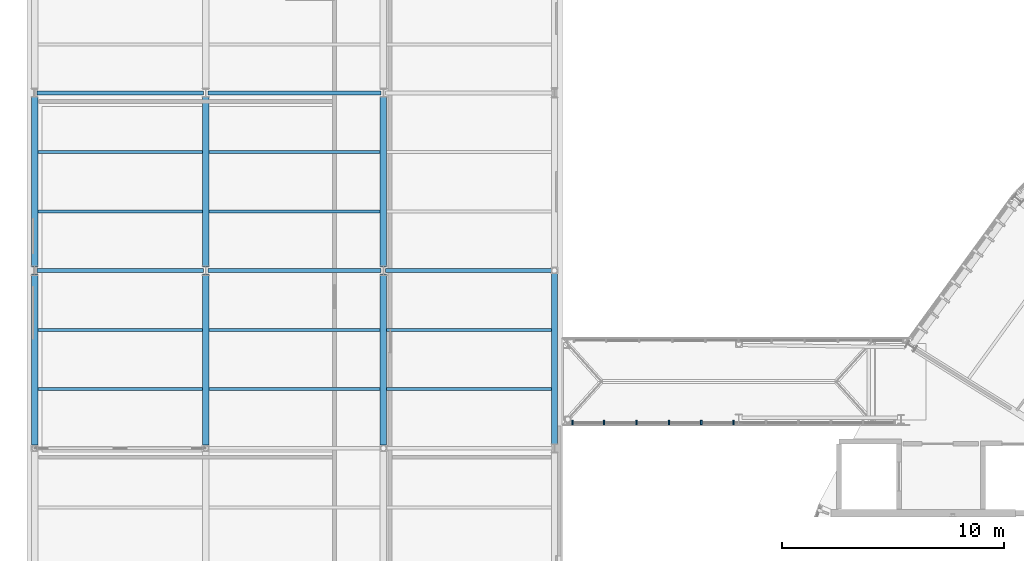
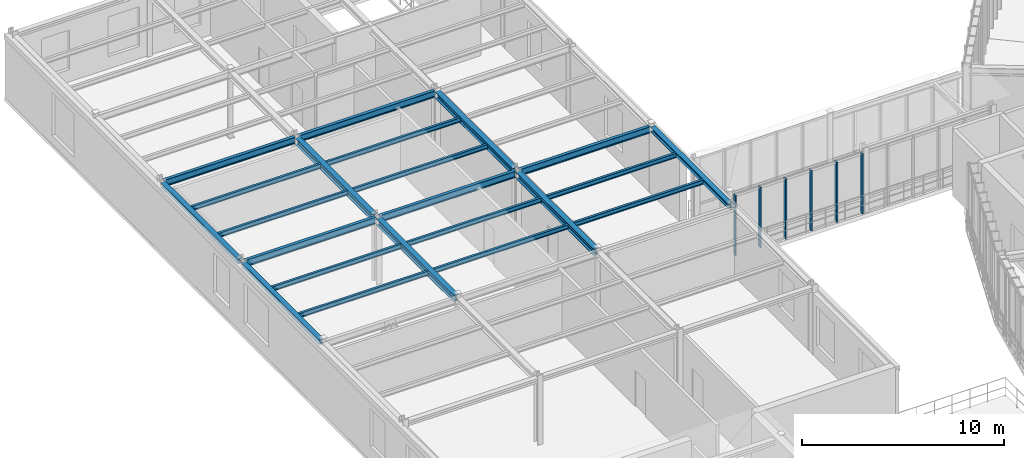
# One storey, part 14 of 52: 22 beams, 6 members, 1 element without a shape of its own.
"""IFC4 building model written with IfcOpenShell, lengths in metres."""

import ifcopenshell
import ifcopenshell.guid

model = None  # the IFC model being written
_history = None  # IfcOwnerHistory: only IFC2X3 demands one
_inside = {}  # id of a spatial element -> (the spatial element, [elements in it])
_under = {}  # id of a project, library or spatial element -> (it, [spatial elements below it])
_declared = {}  # id of a project -> (the project, [libraries it declares])
_typed = {}  # id of a type object -> (the type object, [elements of that type])
_made_of = {}  # id of a material, layer set ... -> (it, [elements and type objects made of it])


def new_model(schema):
    """Start an empty IFC model of exactly this schema.

    Asked for "IFC4X3", IfcOpenShell would pick the latest addendum, in which some entities
    have other attributes; the version numbers below select the first issue.
    IFC2X3 requires an IfcOwnerHistory on every rooted entity: one is made here for all.
    """
    global model, _history
    if schema == "IFC4X3":
        model = ifcopenshell.file(schema_version=(4, 3, 0, 0))
    else:
        model = ifcopenshell.file(schema=schema)
    _inside.clear()
    _under.clear()
    _declared.clear()
    _typed.clear()
    _made_of.clear()
    _history = None
    if model.schema == "IFC2X3":
        org = make("IfcOrganization", Name="unknown")
        user = make(
            "IfcPersonAndOrganization",
            ThePerson=make("IfcPerson", FamilyName="unknown"),
            TheOrganization=org,
        )
        app = make(
            "IfcApplication",
            ApplicationDeveloper=org,
            Version="unknown",
            ApplicationFullName="unknown",
            ApplicationIdentifier="unknown",
        )
        _history = make(
            "IfcOwnerHistory",
            OwningUser=user,
            OwningApplication=app,
            ChangeAction="ADDED",
            CreationDate=0,
        )
    return model


def make(cls, **values):
    """One entity of the class cls with the attributes given. An attribute that is None is left unset."""
    return model.create_entity(
        cls, **{name: value for name, value in values.items() if value is not None}
    )


def rooted(cls, **values):
    """An entity with a GlobalId (a new one), such as an element, a storey or a relation."""
    return make(cls, GlobalId=ifcopenshell.guid.new(), OwnerHistory=_history, **values)


def si_unit(unit_type, name, prefix=None):
    """IfcSIUnit, for example si_unit("LENGTHUNIT", "METRE", prefix="MILLI")."""
    return make("IfcSIUnit", UnitType=unit_type, Prefix=prefix, Name=name)


def assignment(units):
    """IfcUnitAssignment: the units of a project."""
    return None if units is None else make("IfcUnitAssignment", Units=units)


def point(xyz):
    """IfcCartesianPoint."""
    return None if xyz is None else make("IfcCartesianPoint", Coordinates=xyz)


def direction(xyz):
    """IfcDirection."""
    return None if xyz is None else make("IfcDirection", DirectionRatios=xyz)


def frame(location, z_axis=None, x_axis=None):
    """IfcAxis2Placement3D, a coordinate frame: its origin and axes. An axis left out is left unset."""
    return make(
        "IfcAxis2Placement3D",
        Location=point(location),
        Axis=direction(z_axis),
        RefDirection=direction(x_axis),
    )


def frame_2d(location, x_axis=None):
    """IfcAxis2Placement2D, a coordinate frame in the plane: its origin and x axis."""
    return make(
        "IfcAxis2Placement2D", Location=point(location), RefDirection=direction(x_axis)
    )


def origin():
    """The frame at (0, 0, 0) with its axes left unset."""
    return frame((0.0, 0.0, 0.0))


def origin_2d():
    """The frame at (0, 0) in the plane with its x axis left unset."""
    return frame_2d((0.0, 0.0))


def place(relative_to, where):
    """IfcLocalPlacement: puts the frame where relative to a parent placement (None: the world)."""
    return make(
        "IfcLocalPlacement", PlacementRelTo=relative_to, RelativePlacement=where
    )


def context(
    kind, dimensions, precision=None, world=None, true_north=None, identifier=None
):
    """IfcGeometricRepresentationContext, for example the 3D "Model" context."""
    return make(
        "IfcGeometricRepresentationContext",
        ContextIdentifier=identifier,
        ContextType=kind,
        CoordinateSpaceDimension=dimensions,
        Precision=precision,
        WorldCoordinateSystem=world,
        TrueNorth=true_north,
    )


def subcontext(parent, identifier, kind, view, scale=None):
    """IfcGeometricRepresentationSubContext, for example "Body" below "Model"."""
    return make(
        "IfcGeometricRepresentationSubContext",
        ContextIdentifier=identifier,
        ContextType=kind,
        ParentContext=parent,
        TargetScale=scale,
        TargetView=view,
    )


def project(units=None, contexts=None):
    """IfcProject with its units and contexts."""
    return rooted(
        "IfcProject",
        Name="project",
        RepresentationContexts=contexts,
        UnitsInContext=assignment(units),
    )


def spatial(cls, under=None, at=None, **own):
    """A site, building, storey or space (cls), placed at a placement, below another one or the project."""
    s = rooted(cls, ObjectPlacement=at, **own)
    if under is not None:
        _under.setdefault(under.id(), (under, []))[1].append(s)
    return s


def profile(cls, at=None, kind="AREA", **sizes):
    """A parametric profile (cls). Its sizes go by their IFC names, for example OverallWidth=200.0."""
    return make(cls, ProfileType=kind, Position=at, **sizes)


def rectangle(**sizes):
    """IfcRectangleProfileDef."""
    return profile("IfcRectangleProfileDef", **sizes)


def i_section(**sizes):
    """IfcIShapeProfileDef."""
    return profile("IfcIShapeProfileDef", **sizes)


def extrude(swept, where, along, depth):
    """IfcExtrudedAreaSolid: the profile swept, set in the frame where, extruded along a direction by depth."""
    return make(
        "IfcExtrudedAreaSolid",
        SweptArea=swept,
        Position=where,
        ExtrudedDirection=direction(along),
        Depth=depth,
    )


def shape(context_of_items, identifier, shape_type, items):
    """IfcShapeRepresentation: the items that make up one representation, for example the "Body"."""
    return make(
        "IfcShapeRepresentation",
        ContextOfItems=context_of_items,
        RepresentationIdentifier=identifier,
        RepresentationType=shape_type,
        Items=items,
    )


def material(Name=None, Category=None):
    """IfcMaterial."""
    return make("IfcMaterial", Name=Name, Category=Category)


def layer(
    of_material, thickness, ventilated=None, Name=None, Category=None, Priority=None
):
    """IfcMaterialLayer: one layer of a wall or slab, of a material (None: an air gap)."""
    return make(
        "IfcMaterialLayer",
        Material=of_material,
        LayerThickness=thickness,
        IsVentilated=ventilated,
        Name=Name,
        Category=Category,
        Priority=Priority,
    )


def layer_set(layers, Name=None):
    """IfcMaterialLayerSet."""
    return make("IfcMaterialLayerSet", MaterialLayers=layers, LayerSetName=Name)


def material_profile(
    of_material, cross_section, Name=None, Category=None, Priority=None
):
    """IfcMaterialProfile: a cross section and its material."""
    return make(
        "IfcMaterialProfile",
        Name=Name,
        Material=of_material,
        Profile=cross_section,
        Priority=Priority,
        Category=Category,
    )


def profile_set(profiles, Name=None, composite=None):
    """IfcMaterialProfileSet."""
    return make(
        "IfcMaterialProfileSet",
        Name=Name,
        MaterialProfiles=profiles,
        CompositeProfile=composite,
    )


def made_of(thing, what):
    """Note that an element or type object is made of a material, layer set ...; save() writes the relation."""
    if what is not None:
        _made_of.setdefault(what.id(), (what, []))[1].append(thing)
    return thing


def type_object(cls, material=None, **own):
    """A type object (cls), such as IfcWallType, which elements share."""
    return made_of(rooted(cls, **own), material)


def element(
    cls,
    number,
    at=None,
    inside=None,
    cuts=None,
    type_object=None,
    material=None,
    context=None,
    identifier="Body",
    shape_type=None,
    held_by="IfcProductDefinitionShape",
    body=None,
    shapes=None,
    **own,
):
    """One element of the class cls, such as IfcWall. Its Tag is "e" and its number.

    at: its placement. inside: the storey or other place that contains it. cuts: it is an
    opening in that element (IfcRelVoidsElement). A single representation is given by context,
    identifier, shape_type and body (its items); several are given by shapes. held_by: the class
    of the entity that holds the representations. save() writes the other relations.
    """
    e = rooted(cls, Tag="e%d" % number, ObjectPlacement=at, **own)
    if body is not None:
        shapes = [shape(context, identifier, shape_type, body)]
    if shapes is not None:
        e.Representation = make(held_by, Representations=shapes)
    if inside is not None:
        _inside.setdefault(inside.id(), (inside, []))[1].append(e)
    if cuts is not None:
        rooted(
            "IfcRelVoidsElement", RelatingBuildingElement=cuts, RelatedOpeningElement=e
        )
    if type_object is not None:
        _typed.setdefault(type_object.id(), (type_object, []))[1].append(e)
    return made_of(e, material)


def aggregate(whole, parts):
    """IfcRelAggregates: a whole, such as a stair, and the parts it consists of."""
    return rooted("IfcRelAggregates", RelatingObject=whole, RelatedObjects=parts)


def save(model, path):
    """Write the relations noted so far, then the file.

    IfcRelAggregates (storeys below a building ...), IfcRelContainedInSpatialStructure (elements
    in a storey), IfcRelDefinesByType, IfcRelAssociatesMaterial and IfcRelDeclares: one each for
    every whole, place, type object, material and project.
    """
    for whole, parts in _under.values():
        aggregate(whole, parts)
    for where, things in _inside.values():
        rooted(
            "IfcRelContainedInSpatialStructure",
            RelatedElements=things,
            RelatingStructure=where,
        )
    for kind, things in _typed.values():
        rooted("IfcRelDefinesByType", RelatedObjects=things, RelatingType=kind)
    for what, things in _made_of.values():
        rooted("IfcRelAssociatesMaterial", RelatedObjects=things, RelatingMaterial=what)
    for by, libraries in _declared.values():
        rooted("IfcRelDeclares", RelatingContext=by, RelatedDefinitions=libraries)
    model.write(path)


model = new_model("IFC4")

# Units and contexts
model_context = context("Model", 3, precision=1e-05, world=origin(), true_north=direction((0.0, 1.0)))
body_context = subcontext(model_context, "Body", "Model", "MODEL_VIEW")
ifc_project = project(units=[si_unit("LENGTHUNIT", "METRE"), si_unit("AREAUNIT", "SQUARE_METRE"), si_unit("VOLUMEUNIT", "CUBIC_METRE"), si_unit("PLANEANGLEUNIT", "RADIAN"), si_unit("MASSUNIT", "GRAM", prefix="KILO"), si_unit("THERMODYNAMICTEMPERATUREUNIT", "KELVIN"), si_unit("POWERUNIT", "WATT")], contexts=[model_context])

# Site, building, storey
site_placement = place(None, origin())
site = spatial("IfcSite", under=ifc_project, at=site_placement, CompositionType="ELEMENT")
building_placement = place(site_placement, origin())
building = spatial("IfcBuilding", under=site, at=building_placement, Name="Solvatero Civic Police Headquarters", CompositionType="ELEMENT")
storey_placement = place(building_placement, frame((0.0, 0.0, 13.5)))
storey = spatial("IfcBuildingStorey", under=building, at=storey_placement, Name="L03", CompositionType="ELEMENT", Elevation=13.5)

# Beams
ifc_material_1 = material(Name="Steel S355", Category="steel")
ifc_material_profile_1 = material_profile(ifc_material_1, i_section(OverallWidth=0.280029296875, OverallDepth=0.27001953125, WebThickness=0.008056640625, FlangeThickness=0.012939453125, FilletRadius=0.02392578125, at=origin_2d()), Name="HEA 280")
ifc_profile_set_1 = profile_set([ifc_material_profile_1], Name="Steel S355")
beam_type_1 = type_object("IfcBeamType", Name="BM-ST-HEA280", PredefinedType="SPANDREL", material=ifc_profile_set_1)
beam_1_placement = place(storey_placement, frame((4.800048828125, 52.638427734375, 3.864990234375), z_axis=(0.0, 1.0, 0.0), x_axis=(-1.0, 0.0, 0.0)))
element("IfcBeam", 1, at=beam_1_placement, inside=storey, type_object=beam_type_1, Name="Perimeter / radial spandrel beam BM-R2-L03-V6-GY-1-2", PredefinedType="SPANDREL", context=body_context, shape_type="SweptSolid", body=[
    extrude(i_section(OverallWidth=0.280029296875, OverallDepth=0.27001953125, WebThickness=0.008056640625, FlangeThickness=0.012939453125, FilletRadius=0.02392578125, at=origin_2d()), origin(), (0.0, 0.0, 1.0), 7.70166015625),
])
beam_2_placement = place(storey_placement, frame((4.800048828125, 60.659912109375, 3.864990234375), z_axis=(0.0, 1.0, 0.0), x_axis=(-1.0, 0.0, 0.0)))
element("IfcBeam", 2, at=beam_2_placement, inside=storey, type_object=beam_type_1, Name="Perimeter / radial spandrel beam BM-R2-L03-V6-GY-1-3", PredefinedType="SPANDREL", context=body_context, shape_type="SweptSolid", body=[
    extrude(i_section(OverallWidth=0.280029296875, OverallDepth=0.27001953125, WebThickness=0.008056640625, FlangeThickness=0.012939453125, FilletRadius=0.02392578125, at=origin_2d()), origin(), (0.0, 0.0, 1.0), 7.68017578125),
])
beam_3_placement = place(storey_placement, frame((28.199951171875, 52.659912109375, 3.864990234375), z_axis=(0.0, 1.0, 0.0), x_axis=(-1.0, 0.0, 0.0)))
element("IfcBeam", 3, at=beam_3_placement, inside=storey, type_object=beam_type_1, Name="Perimeter / radial spandrel beam BM-R2-L03-V6-GY-4-2", PredefinedType="SPANDREL", context=body_context, shape_type="SweptSolid", body=[
    extrude(i_section(OverallWidth=0.280029296875, OverallDepth=0.27001953125, WebThickness=0.008056640625, FlangeThickness=0.012939453125, FilletRadius=0.02392578125, at=origin_2d()), origin(), (0.0, 0.0, 1.0), 7.70166015625),
])
ifc_material_profile_2 = material_profile(ifc_material_1, i_section(OverallWidth=0.300048828125, OverallDepth=0.389892578125, WebThickness=0.010986328125, FlangeThickness=0.01904296875, FilletRadius=0.027099609375, at=origin_2d()), Name="HEA 400")
ifc_profile_set_2 = profile_set([ifc_material_profile_2], Name="Steel S355")
beam_type_2 = type_object("IfcBeamType", Name="BM-ST-HEA400", PredefinedType="BEAM", material=ifc_profile_set_2)
beam_4_placement = place(storey_placement, frame((12.5, 52.638427734375, 3.804931640625), z_axis=(0.0, 1.0, 0.0), x_axis=(-1.0, 0.0, 0.0)))
element("IfcBeam", 4, at=beam_4_placement, inside=storey, type_object=beam_type_2, Name="Primary girder BM-R2-L03-V6-GY-2-2", PredefinedType="BEAM", context=body_context, shape_type="SweptSolid", body=[
    extrude(i_section(OverallWidth=0.300048828125, OverallDepth=0.389892578125, WebThickness=0.010986328125, FlangeThickness=0.01904296875, FilletRadius=0.027099609375, at=origin_2d()), origin(), (0.0, 0.0, 1.0), 7.70166015625),
])
beam_5_placement = place(storey_placement, frame((12.5, 60.659912109375, 3.804931640625), z_axis=(0.0, 1.0, 0.0), x_axis=(-1.0, 0.0, 0.0)))
element("IfcBeam", 5, at=beam_5_placement, inside=storey, type_object=beam_type_2, Name="Primary girder BM-R2-L03-V6-GY-2-3", PredefinedType="BEAM", context=body_context, shape_type="SweptSolid", body=[
    extrude(i_section(OverallWidth=0.300048828125, OverallDepth=0.389892578125, WebThickness=0.010986328125, FlangeThickness=0.01904296875, FilletRadius=0.027099609375, at=origin_2d()), origin(), (0.0, 0.0, 1.0), 7.68017578125),
])
beam_6_placement = place(storey_placement, frame((20.5, 52.638427734375, 3.804931640625), z_axis=(0.0, 1.0, 0.0), x_axis=(-1.0, 0.0, 0.0)))
element("IfcBeam", 6, at=beam_6_placement, inside=storey, type_object=beam_type_2, Name="Primary girder BM-R2-L03-V6-GY-3-2", PredefinedType="BEAM", context=body_context, shape_type="SweptSolid", body=[
    extrude(i_section(OverallWidth=0.300048828125, OverallDepth=0.389892578125, WebThickness=0.010986328125, FlangeThickness=0.01904296875, FilletRadius=0.027099609375, at=origin_2d()), origin(), (0.0, 0.0, 1.0), 7.70166015625),
])
beam_7_placement = place(storey_placement, frame((20.5, 60.659912109375, 3.804931640625), z_axis=(0.0, 1.0, 0.0), x_axis=(-1.0, 0.0, 0.0)))
element("IfcBeam", 7, at=beam_7_placement, inside=storey, type_object=beam_type_2, Name="Primary girder BM-R2-L03-V6-GY-3-3", PredefinedType="BEAM", context=body_context, shape_type="SweptSolid", body=[
    extrude(i_section(OverallWidth=0.300048828125, OverallDepth=0.389892578125, WebThickness=0.010986328125, FlangeThickness=0.01904296875, FilletRadius=0.027099609375, at=origin_2d()), origin(), (0.0, 0.0, 1.0), 7.68017578125),
])
ifc_material_profile_3 = material_profile(ifc_material_1, i_section(OverallWidth=0.135009765625, OverallDepth=0.27001953125, WebThickness=0.006591796875, FlangeThickness=0.01025390625, FilletRadius=0.014892578125, at=origin_2d()), Name="IPE 270")
ifc_profile_set_3 = profile_set([ifc_material_profile_3], Name="Steel S355")
beam_type_3 = type_object("IfcBeamType", Name="BM-ST-IPE270", PredefinedType="BEAM", material=ifc_profile_set_3)
for number, where, z_axis, x_axis, name in (
    (8, (4.93994140625, 55.166748046875, 3.864990234375), (1.0, 0.0, 0.0), (0.0, 1.0, 0.0), "Composite floor beam BM-R2-L03-V6-SEC-1-2-S1"),
    (9, (4.93994140625, 57.833251953125, 3.864990234375), (1.0, 0.0, 0.0), (0.0, 1.0, 0.0), "Composite floor beam BM-R2-L03-V6-SEC-1-2-S2"),
    (10, (4.93994140625, 63.166748046875, 3.864990234375), (1.0, 0.0, 0.0), (0.0, 1.0, 0.0), "Composite floor beam BM-R2-L03-V6-SEC-1-3-S1"),
    (11, (4.93994140625, 65.833251953125, 3.864990234375), (1.0, 0.0, 0.0), (0.0, 1.0, 0.0), "Composite floor beam BM-R2-L03-V6-SEC-1-3-S2"),
):
    element("IfcBeam", number, at=place(storey_placement, frame(where, z_axis=z_axis, x_axis=x_axis)), inside=storey, type_object=beam_type_3, Name=name, PredefinedType="BEAM", context=body_context, shape_type="SweptSolid", body=[
        extrude(i_section(OverallWidth=0.135009765625, OverallDepth=0.27001953125, WebThickness=0.006591796875, FlangeThickness=0.01025390625, FilletRadius=0.014892578125, at=origin_2d()), origin(), (0.0, 0.0, 1.0), 7.41015625),
    ])
for number, where, z_axis, x_axis, name in (
    (12, (12.64990234375, 55.166748046875, 3.864990234375), (1.0, 0.0, 0.0), (0.0, 1.0, 0.0), "Composite floor beam BM-R2-L03-V6-SEC-2-2-S1"),
    (13, (12.64990234375, 57.833251953125, 3.864990234375), (1.0, 0.0, 0.0), (0.0, 1.0, 0.0), "Composite floor beam BM-R2-L03-V6-SEC-2-2-S2"),
    (14, (12.64990234375, 63.166748046875, 3.864990234375), (1.0, 0.0, 0.0), (0.0, 1.0, 0.0), "Composite floor beam BM-R2-L03-V6-SEC-2-3-S1"),
    (15, (12.64990234375, 65.833251953125, 3.864990234375), (1.0, 0.0, 0.0), (0.0, 1.0, 0.0), "Composite floor beam BM-R2-L03-V6-SEC-2-3-S2"),
):
    element("IfcBeam", number, at=place(storey_placement, frame(where, z_axis=z_axis, x_axis=x_axis)), inside=storey, type_object=beam_type_3, Name=name, PredefinedType="BEAM", context=body_context, shape_type="SweptSolid", body=[
        extrude(i_section(OverallWidth=0.135009765625, OverallDepth=0.27001953125, WebThickness=0.006591796875, FlangeThickness=0.01025390625, FilletRadius=0.014892578125, at=origin_2d()), origin(), (0.0, 0.0, 1.0), 7.7001953125),
    ])
for number, where, z_axis, x_axis, name in (
    (16, (20.64990234375, 55.166748046875, 3.864990234375), (1.0, 0.0, 0.0), (0.0, 1.0, 0.0), "Composite floor beam BM-R2-L03-V6-SEC-3-2-S1"),
    (17, (20.64990234375, 57.833251953125, 3.864990234375), (1.0, 0.0, 0.0), (0.0, 1.0, 0.0), "Composite floor beam BM-R2-L03-V6-SEC-3-2-S2"),
):
    element("IfcBeam", number, at=place(storey_placement, frame(where, z_axis=z_axis, x_axis=x_axis)), inside=storey, type_object=beam_type_3, Name=name, PredefinedType="BEAM", context=body_context, shape_type="SweptSolid", body=[
        extrude(i_section(OverallWidth=0.135009765625, OverallDepth=0.27001953125, WebThickness=0.006591796875, FlangeThickness=0.01025390625, FilletRadius=0.014892578125, at=origin_2d()), origin(), (0.0, 0.0, 1.0), 7.41015625),
    ])
ifc_material_profile_4 = material_profile(ifc_material_1, i_section(OverallWidth=0.179931640625, OverallDepth=0.39990234375, WebThickness=0.008544921875, FlangeThickness=0.013427734375, FilletRadius=0.02099609375, at=origin_2d()), Name="IPE 400")
ifc_profile_set_4 = profile_set([ifc_material_profile_4], Name="Steel S355")
beam_type_4 = type_object("IfcBeamType", Name="BM-ST-IPE400", PredefinedType="BEAM", material=ifc_profile_set_4)
beam_8_placement = place(storey_placement, frame((4.89990234375, 60.5, 3.800048828125), z_axis=(1.0, 0.0, 0.0), x_axis=(0.0, 1.0, 0.0)))
element("IfcBeam", 18, at=beam_8_placement, inside=storey, type_object=beam_type_4, Name="Primary girder BM-R2-L03-V6-GX-1-3", PredefinedType="BEAM", context=body_context, shape_type="SweptSolid", body=[
    extrude(i_section(OverallWidth=0.179931640625, OverallDepth=0.39990234375, WebThickness=0.008544921875, FlangeThickness=0.013427734375, FilletRadius=0.02099609375, at=origin_2d()), origin(), (0.0, 0.0, 1.0), 7.5),
])
beam_9_placement = place(storey_placement, frame((12.60009765625, 60.5, 3.800048828125), z_axis=(1.0, 0.0, 0.0), x_axis=(0.0, 1.0, 0.0)))
element("IfcBeam", 19, at=beam_9_placement, inside=storey, type_object=beam_type_4, Name="Primary girder BM-R2-L03-V6-GX-2-3", PredefinedType="BEAM", context=body_context, shape_type="SweptSolid", body=[
    extrude(i_section(OverallWidth=0.179931640625, OverallDepth=0.39990234375, WebThickness=0.008544921875, FlangeThickness=0.013427734375, FilletRadius=0.02099609375, at=origin_2d()), origin(), (0.0, 0.0, 1.0), 7.7998046875),
])
for number, where, z_axis, x_axis, name in (
    (20, (20.60009765625, 60.5, 3.800048828125), (1.0, 0.0, 0.0), (0.0, 1.0, 0.0), "Primary girder BM-R2-L03-V6-GX-3-3"),
    (21, (4.89990234375, 68.5, 3.800048828125), (1.0, 0.0, 0.0), (0.0, 1.0, 0.0), "Primary girder BM-R2-L03-V6-GX-1-4"),
):
    element("IfcBeam", number, at=place(storey_placement, frame(where, z_axis=z_axis, x_axis=x_axis)), inside=storey, type_object=beam_type_4, Name=name, PredefinedType="BEAM", context=body_context, shape_type="SweptSolid", body=[
        extrude(i_section(OverallWidth=0.179931640625, OverallDepth=0.39990234375, WebThickness=0.008544921875, FlangeThickness=0.013427734375, FilletRadius=0.02099609375, at=origin_2d()), origin(), (0.0, 0.0, 1.0), 7.5),
    ])
beam_10_placement = place(storey_placement, frame((12.60009765625, 68.5, 3.800048828125), z_axis=(1.0, 0.0, 0.0), x_axis=(0.0, 1.0, 0.0)))
element("IfcBeam", 22, at=beam_10_placement, inside=storey, type_object=beam_type_4, Name="Primary girder BM-R2-L03-V6-GX-2-4", PredefinedType="BEAM", context=body_context, shape_type="SweptSolid", body=[
    extrude(i_section(OverallWidth=0.179931640625, OverallDepth=0.39990234375, WebThickness=0.008544921875, FlangeThickness=0.013427734375, FilletRadius=0.02099609375, at=origin_2d()), origin(), (0.0, 0.0, 1.0), 7.7998046875),
])

# Curtain wall, members
ifc_material_2 = material(Name="Anodized Bronze Aluminium", Category="aluminium")
ifc_layer = layer(ifc_material_2, 0.179931640625)
ifc_layer_set = layer_set([ifc_layer], Name="Anodized Bronze Aluminium")
curtain_wall_type = type_object("IfcCurtainWallType", Name="CW-SB-GLZ", PredefinedType="USERDEFINED", material=ifc_layer_set)
curtain_wall_placement = place(storey_placement, origin())
curtain_wall = element("IfcCurtainWall", 23, at=curtain_wall_placement, inside=storey, type_object=curtain_wall_type, Name="Curtain Wall CW-R2-L03-SB1-S", ObjectType="UNITISED", PredefinedType="USERDEFINED")
ifc_material_profile_5 = material_profile(ifc_material_2, rectangle(XDim=0.070068359375, YDim=0.199951171875, at=origin_2d()), Name="ALU MULLION 70x200")
ifc_profile_set_5 = profile_set([ifc_material_profile_5], Name="Anodized Bronze Aluminium")
member_type = type_object("IfcMemberType", Name="CWM-220x80", PredefinedType="MULLION", material=ifc_profile_set_5)
member_1_placement = place(storey_placement, frame((29.0166015625, 53.64990234375, 0.0), z_axis=(0.0, 0.0, 1.0), x_axis=(1.0, 0.0, 0.0)))
member_1 = element("IfcMember", 24, at=member_1_placement, type_object=member_type, Name="CW-R2-L03-SB1-S Mullion 1", PredefinedType="MULLION", context=body_context, shape_type="SweptSolid", body=[
    extrude(rectangle(XDim=0.070068359375, YDim=0.199951171875, at=origin_2d()), origin(), (0.0, 0.0, 1.0), 3.64990234375),
])
member_2_placement = place(storey_placement, frame((30.434814453125, 53.64990234375, 0.0), z_axis=(0.0, 0.0, 1.0), x_axis=(1.0, 0.0, 0.0)))
member_2 = element("IfcMember", 25, at=member_2_placement, type_object=member_type, Name="CW-R2-L03-SB1-S Mullion 2", PredefinedType="MULLION", context=body_context, shape_type="SweptSolid", body=[
    extrude(rectangle(XDim=0.070068359375, YDim=0.199951171875, at=origin_2d()), origin(), (0.0, 0.0, 1.0), 3.64990234375),
])
member_3_placement = place(storey_placement, frame((31.893310546875, 53.64990234375, 0.0), z_axis=(0.0, 0.0, 1.0), x_axis=(1.0, 0.0, 0.0)))
member_3 = element("IfcMember", 26, at=member_3_placement, type_object=member_type, Name="CW-R2-L03-SB1-S Mullion 3", PredefinedType="MULLION", context=body_context, shape_type="SweptSolid", body=[
    extrude(rectangle(XDim=0.070068359375, YDim=0.199951171875, at=origin_2d()), origin(), (0.0, 0.0, 1.0), 3.64990234375),
])
member_4_placement = place(storey_placement, frame((33.3515625, 53.64990234375, 0.0), z_axis=(0.0, 0.0, 1.0), x_axis=(1.0, 0.0, 0.0)))
member_4 = element("IfcMember", 27, at=member_4_placement, type_object=member_type, Name="CW-R2-L03-SB1-S Mullion 4", PredefinedType="MULLION", context=body_context, shape_type="SweptSolid", body=[
    extrude(rectangle(XDim=0.070068359375, YDim=0.199951171875, at=origin_2d()), origin(), (0.0, 0.0, 1.0), 3.64990234375),
])
member_5_placement = place(storey_placement, frame((34.809814453125, 53.64990234375, 0.0), z_axis=(0.0, 0.0, 1.0), x_axis=(1.0, 0.0, 0.0)))
member_5 = element("IfcMember", 28, at=member_5_placement, type_object=member_type, Name="CW-R2-L03-SB1-S Mullion 5", PredefinedType="MULLION", context=body_context, shape_type="SweptSolid", body=[
    extrude(rectangle(XDim=0.070068359375, YDim=0.199951171875, at=origin_2d()), origin(), (0.0, 0.0, 1.0), 3.64990234375),
])
member_6_placement = place(storey_placement, frame((36.268310546875, 53.64990234375, 0.0), z_axis=(0.0, 0.0, 1.0), x_axis=(1.0, 0.0, 0.0)))
member_6 = element("IfcMember", 29, at=member_6_placement, type_object=member_type, Name="CW-R2-L03-SB1-S Mullion 6", PredefinedType="MULLION", context=body_context, shape_type="SweptSolid", body=[
    extrude(rectangle(XDim=0.070068359375, YDim=0.199951171875, at=origin_2d()), origin(), (0.0, 0.0, 1.0), 3.64990234375),
])
aggregate(curtain_wall, [member_1, member_2, member_3, member_4, member_5, member_6])

save(model, "model.ifc")
